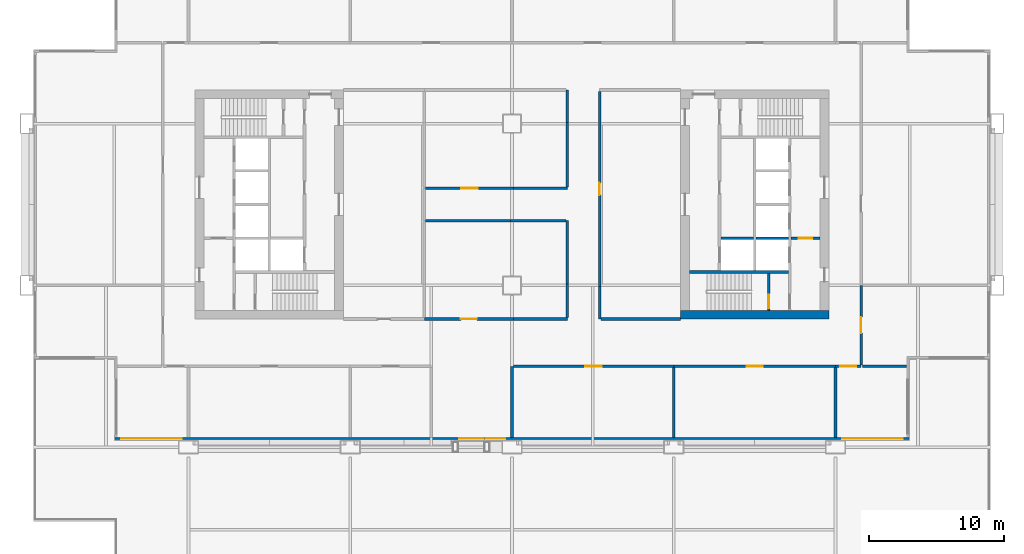
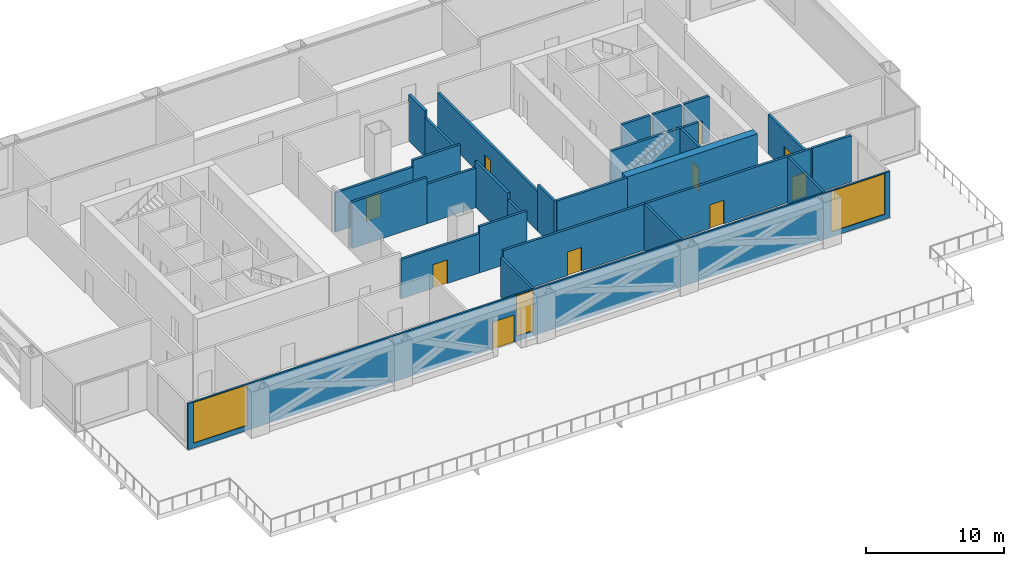
# One storey, part 5 of 8: 28 walls, 10 doors, 3 windows, 13 openings.
"""IFC4 building model written with IfcOpenShell, lengths in metres."""

from ifc_helpers import new_model, si_unit, direction, frame, frame_2d, origin, place, context, subcontext, project, spatial, rectangle, extrude, material, layer, layer_set, type_object, element, fill, save


model = new_model("IFC4")

# Units and contexts
model_context = context("Model", 3, precision=1e-05, world=origin(), true_north=direction((0.0, 1.0)))
body_context = subcontext(model_context, "Body", "Model", "MODEL_VIEW")
ifc_project = project(units=[si_unit("LENGTHUNIT", "METRE"), si_unit("AREAUNIT", "SQUARE_METRE"), si_unit("VOLUMEUNIT", "CUBIC_METRE"), si_unit("PLANEANGLEUNIT", "RADIAN"), si_unit("MASSUNIT", "GRAM", prefix="KILO")], contexts=[model_context])

# Site, building, storey
site_placement = place(None, origin())
site = spatial("IfcSite", under=ifc_project, at=site_placement, CompositionType="ELEMENT")
building_placement = place(site_placement, origin())
building = spatial("IfcBuilding", under=site, at=building_placement, Name="Kitamizu Gate Tower and Museum", CompositionType="ELEMENT")
storey_placement = place(building_placement, frame((0.0, 0.0, 92.10009765625)))
storey = spatial("IfcBuildingStorey", under=building, at=storey_placement, Name="L23", CompositionType="ELEMENT", Elevation=92.10009765625)

# Wall
ifc_material_1 = material(Name="Concrete Fc60", Category="concrete")
ifc_layer_1 = layer(ifc_material_1, 0.64990234375)
ifc_layer_set_1 = layer_set([ifc_layer_1], Name="Concrete Fc60")
wall_type_1 = type_object("IfcWallType", Name="Core wall 650", PredefinedType="SHEAR", material=ifc_layer_set_1)
wall_1_placement = place(storey_placement, frame((59.5, 21.824951171875, 0.0), z_axis=(0.0, 0.0, 1.0), x_axis=(-1.0, 0.0, 0.0)))
element("IfcWall", 1, at=wall_1_placement, inside=storey, type_object=wall_type_1, Name="Core wall ES", PredefinedType="SHEAR", context=body_context, shape_type="SweptSolid", body=[
    extrude(rectangle(XDim=11.0, YDim=0.64990234375, at=frame_2d((5.5, 0.0))), origin(), (0.0, 0.0, 1.0), 4.099853515625),
])

# Wall, opening, door
ifc_material_2 = material(Name="Gypsum board on galvanised stud")
ifc_layer_2 = layer(ifc_material_2, 0.199951171875)
ifc_layer_set_2 = layer_set([ifc_layer_2], Name="Gypsum board on galvanised stud")
wall_type_2 = type_object("IfcWallType", Name="Partition 200", PredefinedType="PARTITIONING", material=ifc_layer_set_2)
wall_2_placement = place(storey_placement, frame((42.5, 38.39990234375, 0.0), z_axis=(0.0, 0.0, 1.0), x_axis=(0.0, -1.0, 0.0)))
wall_2 = element("IfcWall", 2, at=wall_2_placement, inside=storey, type_object=wall_type_2, Name="Partition L23-005", PredefinedType="PARTITIONING", context=body_context, shape_type="SweptSolid", body=[
    extrude(rectangle(XDim=14.5, YDim=0.199951171875, at=frame_2d((7.25, 0.0))), origin(), (0.0, 0.0, 1.0), 3.5),
])
opening_1_placement = place(wall_2_placement, frame((6.800048828125, 0.0, 0.0)))
opening_1 = element("IfcOpeningElement", 3, at=opening_1_placement, cuts=wall_2, Name="Opening L23-002", PredefinedType="OPENING", context=body_context, shape_type="SweptSolid", body=[
    extrude(rectangle(XDim=0.89990234375, YDim=2.10009765625, at=frame_2d((0.449951171875, 1.050048828125))), frame((0.0, 0.10986328125, 0.0), z_axis=(0.0, -1.0, 0.0), x_axis=(1.0, 0.0, 0.0)), (0.0, 0.0, 1.0), 0.219970703125),
])
ifc_material_3 = material(Name="Timber door set", Category="wood")
door_type_1 = type_object("IfcDoorType", Name="Store door 900", OperationType="NOTDEFINED", PredefinedType="DOOR", material=ifc_material_3)
door_1_placement = place(opening_1_placement, origin())
door_1 = element("IfcDoor", 4, at=door_1_placement, inside=storey, type_object=door_type_1, Name="Store door L23-002", OperationType="SINGLE_SWING_LEFT", OverallHeight=2.10009765625, OverallWidth=0.89990234375, PredefinedType="DOOR", context=body_context, shape_type="SweptSolid", body=[
    extrude(rectangle(XDim=0.89990234375, YDim=2.10009765625, at=frame_2d((0.449951171875, 1.050048828125))), frame((0.0, 0.02490234375, 0.0), z_axis=(0.0, -1.0, 0.0), x_axis=(1.0, 0.0, 0.0)), (0.0, 0.0, 1.0), 0.050048828125),
])
fill(opening_1, door_1)

# Walls
wall_3_placement = place(storey_placement, frame((42.5, 23.89990234375, 0.0), z_axis=(0.0, 0.0, 1.0), x_axis=(0.0, -1.0, 0.0)))
element("IfcWall", 5, at=wall_3_placement, inside=storey, type_object=wall_type_2, Name="Partition L23-006", PredefinedType="PARTITIONING", context=body_context, shape_type="SweptSolid", body=[
    extrude(rectangle(XDim=2.39990234375, YDim=0.199951171875, at=frame_2d((1.199951171875, 0.0))), origin(), (0.0, 0.0, 1.0), 4.099853515625),
])
wall_4_placement = place(storey_placement, frame((42.60009765625, 21.5, 0.0), z_axis=(0.0, 0.0, 1.0), x_axis=(1.0, 0.0, 0.0)))
element("IfcWall", 6, at=wall_4_placement, inside=storey, type_object=wall_type_2, Name="Partition L23-007", PredefinedType="PARTITIONING", context=body_context, shape_type="SweptSolid", body=[
    extrude(rectangle(XDim=5.89990234375, YDim=0.199951171875, at=frame_2d((2.949951171875, 0.0))), origin(), (0.0, 0.0, 1.0), 4.099853515625),
])
wall_5_placement = place(storey_placement, frame((36.0, 12.719970703125, 0.0), z_axis=(0.0, 0.0, 1.0), x_axis=(0.0, 1.0, 0.0)))
element("IfcWall", 7, at=wall_5_placement, inside=storey, type_object=wall_type_2, Name="Partition L23-012", PredefinedType="PARTITIONING", context=body_context, shape_type="SweptSolid", body=[
    extrude(rectangle(XDim=5.280029296875, YDim=0.199951171875, at=frame_2d((2.64013671875, 0.0))), origin(), (0.0, 0.0, 1.0), 3.5),
])

# Wall, opening, door
wall_6_placement = place(storey_placement, frame((36.10009765625, 18.0, 0.0), z_axis=(0.0, 0.0, 1.0), x_axis=(1.0, 0.0, 0.0)))
wall_6 = element("IfcWall", 8, at=wall_6_placement, inside=storey, type_object=wall_type_2, Name="Partition L23-013", PredefinedType="PARTITIONING", context=body_context, shape_type="SweptSolid", body=[
    extrude(rectangle(XDim=11.89990234375, YDim=0.199951171875, at=frame_2d((5.949951171875, 0.0))), origin(), (0.0, 0.0, 1.0), 4.099853515625),
])
opening_2_placement = place(wall_6_placement, frame((5.35009765625, 0.0, 0.0)))
opening_2 = element("IfcOpeningElement", 9, at=opening_2_placement, cuts=wall_6, Name="Opening L23-006", PredefinedType="OPENING", context=body_context, shape_type="SweptSolid", body=[
    extrude(rectangle(XDim=1.199951171875, YDim=2.10009765625, at=frame_2d((0.60009765625, 1.050048828125))), frame((0.0, 0.10986328125, 0.0), z_axis=(0.0, -1.0, 0.0), x_axis=(1.0, 0.0, 0.0)), (0.0, 0.0, 1.0), 0.219970703125),
])
ifc_material_4 = material(Name="Timber door set", Category="wood")
door_type_2 = type_object("IfcDoorType", Name="Plant room door 1200", OperationType="DOUBLE_DOOR_SINGLE_SWING", PredefinedType="DOOR", material=ifc_material_4)
door_2_placement = place(opening_2_placement, origin())
door_2 = element("IfcDoor", 10, at=door_2_placement, inside=storey, type_object=door_type_2, Name="Plant room door L23-006", OperationType="DOUBLE_DOOR_SINGLE_SWING", OverallHeight=2.10009765625, OverallWidth=1.199951171875, PredefinedType="DOOR", context=body_context, shape_type="SweptSolid", body=[
    extrude(rectangle(XDim=1.199951171875, YDim=2.10009765625, at=frame_2d((0.60009765625, 1.050048828125))), frame((0.0, 0.02490234375, 0.0), z_axis=(0.0, -1.0, 0.0), x_axis=(1.0, 0.0, 0.0)), (0.0, 0.0, 1.0), 0.050048828125),
])
fill(opening_2, door_2)

wall_7_placement = place(storey_placement, frame((48.0, 18.0, 0.0), z_axis=(0.0, 0.0, 1.0), x_axis=(1.0, 0.0, 0.0)))
wall_7 = element("IfcWall", 11, at=wall_7_placement, inside=storey, type_object=wall_type_2, Name="Partition L23-014", PredefinedType="PARTITIONING", context=body_context, shape_type="SweptSolid", body=[
    extrude(rectangle(XDim=12.0, YDim=0.199951171875, at=frame_2d((6.0, 0.0))), origin(), (0.0, 0.0, 1.0), 4.099853515625),
])
opening_3_placement = place(wall_7_placement, frame((5.39990234375, 0.0, 0.0)))
opening_3 = element("IfcOpeningElement", 12, at=opening_3_placement, cuts=wall_7, Name="Opening L23-007", PredefinedType="OPENING", context=body_context, shape_type="SweptSolid", body=[
    extrude(rectangle(XDim=1.199951171875, YDim=2.10009765625, at=frame_2d((0.60009765625, 1.050048828125))), frame((0.0, 0.10986328125, 0.0), z_axis=(0.0, -1.0, 0.0), x_axis=(1.0, 0.0, 0.0)), (0.0, 0.0, 1.0), 0.219970703125),
])
door_3_placement = place(opening_3_placement, origin())
door_3 = element("IfcDoor", 13, at=door_3_placement, inside=storey, type_object=door_type_2, Name="Plant room door L23-007", OperationType="DOUBLE_DOOR_SINGLE_SWING", OverallHeight=2.10009765625, OverallWidth=1.199951171875, PredefinedType="DOOR", context=body_context, shape_type="SweptSolid", body=[
    extrude(rectangle(XDim=1.199951171875, YDim=2.10009765625, at=frame_2d((0.60009765625, 1.050048828125))), frame((0.0, 0.02490234375, 0.0), z_axis=(0.0, -1.0, 0.0), x_axis=(1.0, 0.0, 0.0)), (0.0, 0.0, 1.0), 0.050048828125),
])
fill(opening_3, door_3)

wall_8_placement = place(storey_placement, frame((60.0, 18.0, 0.0), z_axis=(0.0, 0.0, 1.0), x_axis=(1.0, 0.0, 0.0)))
wall_8 = element("IfcWall", 14, at=wall_8_placement, inside=storey, type_object=wall_type_2, Name="Partition L23-015", PredefinedType="PARTITIONING", context=body_context, shape_type="SweptSolid", body=[
    extrude(rectangle(XDim=1.89990234375, YDim=0.199951171875, at=frame_2d((0.949951171875, 0.0))), origin(), (0.0, 0.0, 1.0), 4.099853515625),
])
opening_4_placement = place(wall_8_placement, frame((0.35009765625, 0.0, 0.0)))
opening_4 = element("IfcOpeningElement", 15, at=opening_4_placement, cuts=wall_8, Name="Opening L23-008", PredefinedType="OPENING", context=body_context, shape_type="SweptSolid", body=[
    extrude(rectangle(XDim=1.199951171875, YDim=2.10009765625, at=frame_2d((0.60009765625, 1.050048828125))), frame((0.0, 0.10986328125, 0.0), z_axis=(0.0, -1.0, 0.0), x_axis=(1.0, 0.0, 0.0)), (0.0, 0.0, 1.0), 0.219970703125),
])
door_4_placement = place(opening_4_placement, origin())
door_4 = element("IfcDoor", 16, at=door_4_placement, inside=storey, type_object=door_type_2, Name="Plant room door L23-008", OperationType="DOUBLE_DOOR_SINGLE_SWING", OverallHeight=2.10009765625, OverallWidth=1.199951171875, PredefinedType="DOOR", context=body_context, shape_type="SweptSolid", body=[
    extrude(rectangle(XDim=1.199951171875, YDim=2.10009765625, at=frame_2d((0.60009765625, 1.050048828125))), frame((0.0, 0.02490234375, 0.0), z_axis=(0.0, -1.0, 0.0), x_axis=(1.0, 0.0, 0.0)), (0.0, 0.0, 1.0), 0.050048828125),
])
fill(opening_4, door_4)

wall_9_placement = place(storey_placement, frame((61.89990234375, 18.10009765625, 0.0), z_axis=(0.0, 0.0, 1.0), x_axis=(0.0, 1.0, 0.0)))
wall_9 = element("IfcWall", 17, at=wall_9_placement, inside=storey, type_object=wall_type_2, Name="Partition L23-024", PredefinedType="PARTITIONING", context=body_context, shape_type="SweptSolid", body=[
    extrude(rectangle(XDim=5.89990234375, YDim=0.199951171875, at=frame_2d((2.949951171875, 0.0))), origin(), (0.0, 0.0, 1.0), 3.5),
])
opening_5_placement = place(wall_9_placement, frame((2.35009765625, 0.0, 0.0)))
opening_5 = element("IfcOpeningElement", 18, at=opening_5_placement, cuts=wall_9, Name="Opening L23-017", PredefinedType="OPENING", context=body_context, shape_type="SweptSolid", body=[
    extrude(rectangle(XDim=1.199951171875, YDim=2.10009765625, at=frame_2d((0.60009765625, 1.050048828125))), frame((0.0, 0.10986328125, 0.0), z_axis=(0.0, -1.0, 0.0), x_axis=(1.0, 0.0, 0.0)), (0.0, 0.0, 1.0), 0.219970703125),
])
door_5_placement = place(opening_5_placement, origin())
door_5 = element("IfcDoor", 19, at=door_5_placement, inside=storey, type_object=door_type_2, Name="Plant room door L23-017", OperationType="DOUBLE_DOOR_SINGLE_SWING", OverallHeight=2.10009765625, OverallWidth=1.199951171875, PredefinedType="DOOR", context=body_context, shape_type="SweptSolid", body=[
    extrude(rectangle(XDim=1.199951171875, YDim=2.10009765625, at=frame_2d((0.60009765625, 1.050048828125))), frame((0.0, 0.02490234375, 0.0), z_axis=(0.0, -1.0, 0.0), x_axis=(1.0, 0.0, 0.0)), (0.0, 0.0, 1.0), 0.050048828125),
])
fill(opening_5, door_5)

wall_10_placement = place(storey_placement, frame((29.5, 21.5, 0.0), z_axis=(0.0, 0.0, 1.0), x_axis=(1.0, 0.0, 0.0)))
wall_10 = element("IfcWall", 20, at=wall_10_placement, inside=storey, type_object=wall_type_2, Name="Partition L23-027", PredefinedType="PARTITIONING", context=body_context, shape_type="SweptSolid", body=[
    extrude(rectangle(XDim=6.60009765625, YDim=0.199951171875, at=frame_2d((3.300048828125, 0.0))), origin(), (0.0, 0.0, 1.0), 3.5),
])
opening_6_placement = place(wall_10_placement, frame((2.699951171875, 0.0, 0.0)))
opening_6 = element("IfcOpeningElement", 21, at=opening_6_placement, cuts=wall_10, Name="Opening L23-019", PredefinedType="OPENING", context=body_context, shape_type="SweptSolid", body=[
    extrude(rectangle(XDim=1.199951171875, YDim=2.10009765625, at=frame_2d((0.60009765625, 1.050048828125))), frame((0.0, 0.10986328125, 0.0), z_axis=(0.0, -1.0, 0.0), x_axis=(1.0, 0.0, 0.0)), (0.0, 0.0, 1.0), 0.219970703125),
])
door_6_placement = place(opening_6_placement, origin())
door_6 = element("IfcDoor", 22, at=door_6_placement, inside=storey, type_object=door_type_2, Name="Plant room door L23-019", OperationType="DOUBLE_DOOR_SINGLE_SWING", OverallHeight=2.10009765625, OverallWidth=1.199951171875, PredefinedType="DOOR", context=body_context, shape_type="SweptSolid", body=[
    extrude(rectangle(XDim=1.199951171875, YDim=2.10009765625, at=frame_2d((0.60009765625, 1.050048828125))), frame((0.0, 0.02490234375, 0.0), z_axis=(0.0, -1.0, 0.0), x_axis=(1.0, 0.0, 0.0)), (0.0, 0.0, 1.0), 0.050048828125),
])
fill(opening_6, door_6)

# Walls
wall_11_placement = place(storey_placement, frame((36.10009765625, 21.5, 0.0), z_axis=(0.0, 0.0, 1.0), x_axis=(1.0, 0.0, 0.0)))
element("IfcWall", 23, at=wall_11_placement, inside=storey, type_object=wall_type_2, Name="Partition L23-028", PredefinedType="PARTITIONING", context=body_context, shape_type="SweptSolid", body=[
    extrude(rectangle(XDim=4.0, YDim=0.199951171875, at=frame_2d((2.0, 0.0))), origin(), (0.0, 0.0, 1.0), 4.099853515625),
])
wall_12_placement = place(storey_placement, frame((40.10009765625, 21.60009765625, 0.0), z_axis=(0.0, 0.0, 1.0), x_axis=(0.0, 1.0, 0.0)))
element("IfcWall", 24, at=wall_12_placement, inside=storey, type_object=wall_type_2, Name="Partition L23-029", PredefinedType="PARTITIONING", context=body_context, shape_type="SweptSolid", body=[
    extrude(rectangle(XDim=2.5, YDim=0.199951171875, at=frame_2d((1.25, 0.0))), origin(), (0.0, 0.0, 1.0), 3.5),
])
wall_13_placement = place(storey_placement, frame((40.10009765625, 24.10009765625, 0.0), z_axis=(0.0, 0.0, 1.0), x_axis=(0.0, 1.0, 0.0)))
element("IfcWall", 25, at=wall_13_placement, inside=storey, type_object=wall_type_2, Name="Partition L23-030", PredefinedType="PARTITIONING", context=body_context, shape_type="SweptSolid", body=[
    extrude(rectangle(XDim=4.699951171875, YDim=0.199951171875, at=frame_2d((2.35009765625, 0.0))), origin(), (0.0, 0.0, 1.0), 4.099853515625),
])
wall_14_placement = place(storey_placement, frame((40.0, 28.800048828125, 0.0), z_axis=(0.0, 0.0, 1.0), x_axis=(-1.0, 0.0, 0.0)))
element("IfcWall", 26, at=wall_14_placement, inside=storey, type_object=wall_type_2, Name="Partition L23-031", PredefinedType="PARTITIONING", context=body_context, shape_type="SweptSolid", body=[
    extrude(rectangle(XDim=4.10009765625, YDim=0.199951171875, at=frame_2d((2.050048828125, 0.0))), origin(), (0.0, 0.0, 1.0), 3.5),
])
wall_15_placement = place(storey_placement, frame((35.89990234375, 28.800048828125, 0.0), z_axis=(0.0, 0.0, 1.0), x_axis=(-1.0, 0.0, 0.0)))
element("IfcWall", 27, at=wall_15_placement, inside=storey, type_object=wall_type_2, Name="Partition L23-032", PredefinedType="PARTITIONING", context=body_context, shape_type="SweptSolid", body=[
    extrude(rectangle(XDim=6.2998046875, YDim=0.199951171875, at=frame_2d((3.14990234375, 0.0))), origin(), (0.0, 0.0, 1.0), 4.099853515625),
])

# Wall, opening, door
wall_16_placement = place(storey_placement, frame((29.60009765625, 31.199951171875, 0.0), z_axis=(0.0, 0.0, 1.0), x_axis=(1.0, 0.0, 0.0)))
wall_16 = element("IfcWall", 28, at=wall_16_placement, inside=storey, type_object=wall_type_2, Name="Partition L23-033", PredefinedType="PARTITIONING", context=body_context, shape_type="SweptSolid", body=[
    extrude(rectangle(XDim=6.5, YDim=0.199951171875, at=frame_2d((3.25, 0.0))), origin(), (0.0, 0.0, 1.0), 3.5),
])
opening_7_placement = place(wall_16_placement, frame((2.64990234375, 0.0, 0.0)))
opening_7 = element("IfcOpeningElement", 29, at=opening_7_placement, cuts=wall_16, Name="Opening L23-020", PredefinedType="OPENING", context=body_context, shape_type="SweptSolid", body=[
    extrude(rectangle(XDim=1.199951171875, YDim=2.10009765625, at=frame_2d((0.60009765625, 1.050048828125))), frame((0.0, 0.10986328125, 0.0), z_axis=(0.0, -1.0, 0.0), x_axis=(1.0, 0.0, 0.0)), (0.0, 0.0, 1.0), 0.219970703125),
])
door_7_placement = place(opening_7_placement, origin())
door_7 = element("IfcDoor", 30, at=door_7_placement, inside=storey, type_object=door_type_2, Name="Plant room door L23-020", OperationType="DOUBLE_DOOR_SINGLE_SWING", OverallHeight=2.10009765625, OverallWidth=1.199951171875, PredefinedType="DOOR", context=body_context, shape_type="SweptSolid", body=[
    extrude(rectangle(XDim=1.199951171875, YDim=2.10009765625, at=frame_2d((0.60009765625, 1.050048828125))), frame((0.0, 0.02490234375, 0.0), z_axis=(0.0, -1.0, 0.0), x_axis=(1.0, 0.0, 0.0)), (0.0, 0.0, 1.0), 0.050048828125),
])
fill(opening_7, door_7)

# Walls
wall_17_placement = place(storey_placement, frame((36.10009765625, 31.199951171875, 0.0), z_axis=(0.0, 0.0, 1.0), x_axis=(1.0, 0.0, 0.0)))
element("IfcWall", 31, at=wall_17_placement, inside=storey, type_object=wall_type_2, Name="Partition L23-034", PredefinedType="PARTITIONING", context=body_context, shape_type="SweptSolid", body=[
    extrude(rectangle(XDim=4.0, YDim=0.199951171875, at=frame_2d((2.0, 0.0))), origin(), (0.0, 0.0, 1.0), 4.099853515625),
])
wall_18_placement = place(storey_placement, frame((40.10009765625, 31.300048828125, 0.0), z_axis=(0.0, 0.0, 1.0), x_axis=(0.0, 1.0, 0.0)))
element("IfcWall", 32, at=wall_18_placement, inside=storey, type_object=wall_type_2, Name="Partition L23-035", PredefinedType="PARTITIONING", context=body_context, shape_type="SweptSolid", body=[
    extrude(rectangle(XDim=4.800048828125, YDim=0.199951171875, at=frame_2d((2.39990234375, 0.0))), origin(), (0.0, 0.0, 1.0), 3.5),
])
wall_19_placement = place(storey_placement, frame((40.10009765625, 36.10009765625, 0.0), z_axis=(0.0, 0.0, 1.0), x_axis=(0.0, 1.0, 0.0)))
element("IfcWall", 33, at=wall_19_placement, inside=storey, type_object=wall_type_2, Name="Partition L23-036", PredefinedType="PARTITIONING", context=body_context, shape_type="SweptSolid", body=[
    extrude(rectangle(XDim=2.39990234375, YDim=0.199951171875, at=frame_2d((1.199951171875, 0.0))), origin(), (0.0, 0.0, 1.0), 4.099853515625),
])
for number, where, z_axis, x_axis, name in (
    (34, (48.0, 12.719970703125, 0.0), (0.0, 0.0, 1.0), (0.0, 1.0, 0.0), "Partition L23-046"),
    (35, (60.0, 12.719970703125, 0.0), (0.0, 0.0, 1.0), (0.0, 1.0, 0.0), "Partition L23-047"),
):
    element("IfcWall", number, at=place(storey_placement, frame(where, z_axis=z_axis, x_axis=x_axis)), inside=storey, type_object=wall_type_2, Name=name, PredefinedType="PARTITIONING", context=body_context, shape_type="SweptSolid", body=[
        extrude(rectangle(XDim=5.179931640625, YDim=0.199951171875, at=frame_2d((2.58984375, 0.0))), origin(), (0.0, 0.0, 1.0), 4.099853515625),
    ])
wall_20_placement = place(storey_placement, frame((65.280029296875, 18.0, 0.0), z_axis=(0.0, 0.0, 1.0), x_axis=(-1.0, 0.0, 0.0)))
element("IfcWall", 36, at=wall_20_placement, inside=storey, type_object=wall_type_2, Name="Partition L23-048", PredefinedType="PARTITIONING", context=body_context, shape_type="SweptSolid", body=[
    extrude(rectangle(XDim=3.280029296875, YDim=0.199951171875, at=frame_2d((1.64013671875, 0.0))), origin(), (0.0, 0.0, 1.0), 4.099853515625),
])
ifc_material_5 = material(Name="Concrete Fc42", Category="concrete")
ifc_layer_3 = layer(ifc_material_5, 0.199951171875)
ifc_layer_set_3 = layer_set([ifc_layer_3], Name="Concrete Fc42")
wall_type_3 = type_object("IfcWallType", Name="Shaft wall 200", PredefinedType="SOLIDWALL", material=ifc_layer_set_3)
wall_21_placement = place(storey_placement, frame((56.5, 25.0, 0.0), z_axis=(0.0, 0.0, 1.0), x_axis=(-1.0, 0.0, 0.0)))
element("IfcWall", 37, at=wall_21_placement, inside=storey, type_object=wall_type_3, Name="Shaft wall ESB", PredefinedType="SOLIDWALL", context=body_context, shape_type="SweptSolid", body=[
    extrude(rectangle(XDim=7.35009765625, YDim=0.199951171875, at=frame_2d((3.675048828125, 0.0))), origin(), (0.0, 0.0, 1.0), 4.099853515625),
])

# Wall, opening, door
wall_22_placement = place(storey_placement, frame((58.85009765625, 27.5, 0.0), z_axis=(0.0, 0.0, 1.0), x_axis=(-1.0, 0.0, 0.0)))
wall_22 = element("IfcWall", 38, at=wall_22_placement, inside=storey, type_object=wall_type_3, Name="Shaft wall EFFN", PredefinedType="SOLIDWALL", context=body_context, shape_type="SweptSolid", body=[
    extrude(rectangle(XDim=2.150146484375, YDim=0.199951171875, at=frame_2d((1.0751953125, 0.0))), origin(), (0.0, 0.0, 1.0), 4.099853515625),
])
opening_8_placement = place(wall_22_placement, frame((0.574951171875, 0.0, 0.0)))
opening_8 = element("IfcOpeningElement", 39, at=opening_8_placement, cuts=wall_22, Name="Opening L23-036", PredefinedType="OPENING", context=body_context, shape_type="SweptSolid", body=[
    extrude(rectangle(XDim=1.0, YDim=2.10009765625, at=frame_2d((0.5, 1.050048828125))), frame((0.0, 0.10986328125, 0.0), z_axis=(0.0, -1.0, 0.0), x_axis=(1.0, 0.0, 0.0)), (0.0, 0.0, 1.0), 0.219970703125),
])
ifc_material_6 = material(Name="Hollow metal door set")
door_type_3 = type_object("IfcDoorType", Name="Fire door 1000", OperationType="NOTDEFINED", PredefinedType="DOOR", material=ifc_material_6)
door_8_placement = place(opening_8_placement, origin())
door_8 = element("IfcDoor", 40, at=door_8_placement, inside=storey, type_object=door_type_3, Name="Fire-fighting lobby door L23-036", OperationType="SINGLE_SWING_RIGHT", OverallHeight=2.10009765625, OverallWidth=1.0, PredefinedType="DOOR", context=body_context, shape_type="SweptSolid", body=[
    extrude(rectangle(XDim=1.0, YDim=2.10009765625, at=frame_2d((0.5, 1.050048828125))), frame((0.0, 0.02490234375, 0.0), z_axis=(0.0, -1.0, 0.0), x_axis=(1.0, 0.0, 0.0)), (0.0, 0.0, 1.0), 0.050048828125),
])
fill(opening_8, door_8)

wall_23_placement = place(storey_placement, frame((55.050048828125, 22.14990234375, 0.0), z_axis=(0.0, 0.0, 1.0), x_axis=(0.0, 1.0, 0.0)))
wall_23 = element("IfcWall", 41, at=wall_23_placement, inside=storey, type_object=wall_type_3, Name="Shaft wall ESZ", PredefinedType="SOLIDWALL", context=body_context, shape_type="SweptSolid", body=[
    extrude(rectangle(XDim=2.75, YDim=0.199951171875, at=frame_2d((1.375, 0.0))), origin(), (0.0, 0.0, 1.0), 4.099853515625),
])
opening_9_placement = place(wall_23_placement, frame((0.14990234375, 0.0, 0.0)))
opening_9 = element("IfcOpeningElement", 42, at=opening_9_placement, cuts=wall_23, Name="Opening L23-032", PredefinedType="OPENING", context=body_context, shape_type="SweptSolid", body=[
    extrude(rectangle(XDim=1.0, YDim=2.10009765625, at=frame_2d((0.5, 1.050048828125))), frame((0.0, 0.10986328125, 0.0), z_axis=(0.0, -1.0, 0.0), x_axis=(1.0, 0.0, 0.0)), (0.0, 0.0, 1.0), 0.219970703125),
])
door_9_placement = place(opening_9_placement, origin())
door_9 = element("IfcDoor", 43, at=door_9_placement, inside=storey, type_object=door_type_3, Name="Stair door L23-032", OperationType="SINGLE_SWING_RIGHT", OverallHeight=2.10009765625, OverallWidth=1.0, PredefinedType="DOOR", context=body_context, shape_type="SweptSolid", body=[
    extrude(rectangle(XDim=1.0, YDim=2.10009765625, at=frame_2d((0.5, 1.050048828125))), frame((0.0, 0.02490234375, 0.0), z_axis=(0.0, -1.0, 0.0), x_axis=(1.0, 0.0, 0.0)), (0.0, 0.0, 1.0), 0.050048828125),
])
fill(opening_9, door_9)

# Walls
for number, where, z_axis, x_axis, name in (
    (44, (56.5, 27.5, 0.0), (0.0, 0.0, 1.0), (-1.0, 0.0, 0.0), "Shaft wall EDVW0"),
    (45, (53.89990234375, 27.5, 0.0), (0.0, 0.0, 1.0), (-1.0, 0.0, 0.0), "Shaft wall EDVE0"),
):
    element("IfcWall", number, at=place(storey_placement, frame(where, z_axis=z_axis, x_axis=x_axis)), inside=storey, type_object=wall_type_3, Name=name, PredefinedType="SOLIDWALL", context=body_context, shape_type="SweptSolid", body=[
        extrude(rectangle(XDim=2.39990234375, YDim=0.199951171875, at=frame_2d((1.199951171875, 0.0))), origin(), (0.0, 0.0, 1.0), 4.099853515625),
    ])

# Wall, openings, door, windows
ifc_material_7 = material(Name="Bronze anodised aluminium frame with insulated spandrel and tinted glass", Category="aluminium")
ifc_layer_4 = layer(ifc_material_7, 0.14990234375)
ifc_layer_set_4 = layer_set([ifc_layer_4], Name="Bronze anodised aluminium frame with insulated spandrel and tinted glass")
wall_type_4 = type_object("IfcWallType", Name="WINDOW WALL 150 BRONZE FRAME EI 60", PredefinedType="ELEMENTEDWALL", material=ifc_layer_set_4)
wall_24_placement = place(storey_placement, frame((6.56005859375, 12.635009765625, 0.0), z_axis=(0.0, 0.0, 1.0), x_axis=(1.0, 0.0, 0.0)))
wall_24 = element("IfcWall", 46, at=wall_24_placement, inside=storey, type_object=wall_type_4, Name="Window wall south L23", PredefinedType="ELEMENTEDWALL", context=body_context, shape_type="SweptSolid", body=[
    extrude(rectangle(XDim=58.8798828125, YDim=0.14990234375, at=frame_2d((29.43994140625, 0.0))), origin(), (0.0, 0.0, 1.0), 4.099853515625),
])
opening_10_placement = place(wall_24_placement, frame((0.43994140625, 0.0, 0.449951171875)))
opening_10 = element("IfcOpeningElement", 47, at=opening_10_placement, cuts=wall_24, Name="Opening W17", PredefinedType="OPENING", context=body_context, shape_type="SweptSolid", body=[
    extrude(rectangle(XDim=4.5, YDim=3.60009765625, at=frame_2d((2.25, 1.800048828125))), frame((0.0, 0.0849609375, 0.0), z_axis=(0.0, -1.0, 0.0), x_axis=(1.0, 0.0, 0.0)), (0.0, 0.0, 1.0), 0.169921875),
])
opening_11_placement = place(wall_24_placement, frame((27.5400390625, 0.0, 0.449951171875)))
opening_11 = element("IfcOpeningElement", 48, at=opening_11_placement, cuts=wall_24, Name="Opening W11", PredefinedType="OPENING", context=body_context, shape_type="SweptSolid", body=[
    extrude(rectangle(XDim=1.39990234375, YDim=3.60009765625, at=frame_2d((0.699951171875, 1.800048828125))), frame((0.0, 0.0849609375, 0.0), z_axis=(0.0, -1.0, 0.0), x_axis=(1.0, 0.0, 0.0)), (0.0, 0.0, 1.0), 0.169921875),
])
opening_12_placement = place(wall_24_placement, frame((25.5400390625, 0.0, 0.0)))
opening_12 = element("IfcOpeningElement", 49, at=opening_12_placement, cuts=wall_24, Name="Opening L23-901", PredefinedType="OPENING", context=body_context, shape_type="SweptSolid", body=[
    extrude(rectangle(XDim=1.800048828125, YDim=2.39990234375, at=frame_2d((0.89990234375, 1.199951171875))), frame((0.0, 0.0849609375, 0.0), z_axis=(0.0, -1.0, 0.0), x_axis=(1.0, 0.0, 0.0)), (0.0, 0.0, 1.0), 0.169921875),
])
opening_13_placement = place(wall_24_placement, frame((53.93994140625, 0.0, 0.449951171875)))
opening_13 = element("IfcOpeningElement", 50, at=opening_13_placement, cuts=wall_24, Name="Opening W17", PredefinedType="OPENING", context=body_context, shape_type="SweptSolid", body=[
    extrude(rectangle(XDim=4.5, YDim=3.60009765625, at=frame_2d((2.25, 1.800048828125))), frame((0.0, 0.0849609375, 0.0), z_axis=(0.0, -1.0, 0.0), x_axis=(1.0, 0.0, 0.0)), (0.0, 0.0, 1.0), 0.169921875),
])
ifc_material_8 = material(Name="Bronze anodised aluminium frame, tinted toughened glass", Category="aluminium")
door_type_4 = type_object("IfcDoorType", Name="TERRACE DOOR 1800 x 2400 FIRE RATED", OperationType="DOUBLE_DOOR_SINGLE_SWING", PredefinedType="DOOR", material=ifc_material_8)
door_10_placement = place(opening_12_placement, frame((1.800048828125, 0.0, 0.0), x_axis=(-1.0, 0.0, 0.0)))
door_10 = element("IfcDoor", 51, at=door_10_placement, inside=storey, type_object=door_type_4, Name="Terrace door L23-901", OperationType="DOUBLE_DOOR_SINGLE_SWING", OverallHeight=2.39990234375, OverallWidth=1.800048828125, PredefinedType="DOOR", context=body_context, shape_type="SweptSolid", body=[
    extrude(rectangle(XDim=1.800048828125, YDim=2.39990234375, at=frame_2d((0.89990234375, 1.199951171875))), frame((0.0, 0.02490234375, 0.0), z_axis=(0.0, -1.0, 0.0), x_axis=(1.0, 0.0, 0.0)), (0.0, 0.0, 1.0), 0.050048828125),
])
fill(opening_12, door_10)
ifc_material_9 = material(Name="Bronze anodised aluminium frame, tinted triple glazing", Category="aluminium")
window_type_1 = type_object("IfcWindowType", Name="WINDOW 1400 x 3600 SILL 450", PartitioningType="SINGLE_PANEL", PredefinedType="WINDOW", material=ifc_material_9)
window_1_placement = place(opening_11_placement, origin())
window_1 = element("IfcWindow", 52, at=window_1_placement, inside=storey, type_object=window_type_1, Name="Window W11 L23", OverallHeight=3.60009765625, OverallWidth=1.39990234375, PartitioningType="SINGLE_PANEL", PredefinedType="WINDOW", context=body_context, shape_type="SweptSolid", body=[
    extrude(rectangle(XDim=1.39990234375, YDim=3.60009765625, at=frame_2d((0.699951171875, 1.800048828125))), frame((0.0, 0.030029296875, 0.0), z_axis=(0.0, -1.0, 0.0), x_axis=(1.0, 0.0, 0.0)), (0.0, 0.0, 1.0), 0.06005859375),
])
fill(opening_11, window_1)
ifc_material_10 = material(Name="Bronze anodised aluminium frame, tinted triple glazing", Category="aluminium")
window_type_2 = type_object("IfcWindowType", Name="WINDOW 4500 x 3600 SILL 450", PartitioningType="SINGLE_PANEL", PredefinedType="WINDOW", material=ifc_material_10)
window_2_placement = place(opening_10_placement, origin())
window_2 = element("IfcWindow", 53, at=window_2_placement, inside=storey, type_object=window_type_2, Name="Window W17 L23", OverallHeight=3.60009765625, OverallWidth=4.5, PartitioningType="SINGLE_PANEL", PredefinedType="WINDOW", context=body_context, shape_type="SweptSolid", body=[
    extrude(rectangle(XDim=4.5, YDim=3.60009765625, at=frame_2d((2.25, 1.800048828125))), frame((0.0, 0.030029296875, 0.0), z_axis=(0.0, -1.0, 0.0), x_axis=(1.0, 0.0, 0.0)), (0.0, 0.0, 1.0), 0.06005859375),
])
fill(opening_10, window_2)
window_3_placement = place(opening_13_placement, origin())
window_3 = element("IfcWindow", 54, at=window_3_placement, inside=storey, type_object=window_type_2, Name="Window W17 L23", OverallHeight=3.60009765625, OverallWidth=4.5, PartitioningType="SINGLE_PANEL", PredefinedType="WINDOW", context=body_context, shape_type="SweptSolid", body=[
    extrude(rectangle(XDim=4.5, YDim=3.60009765625, at=frame_2d((2.25, 1.800048828125))), frame((0.0, 0.030029296875, 0.0), z_axis=(0.0, -1.0, 0.0), x_axis=(1.0, 0.0, 0.0)), (0.0, 0.0, 1.0), 0.06005859375),
])
fill(opening_13, window_3)

save(model, "model.ifc")
